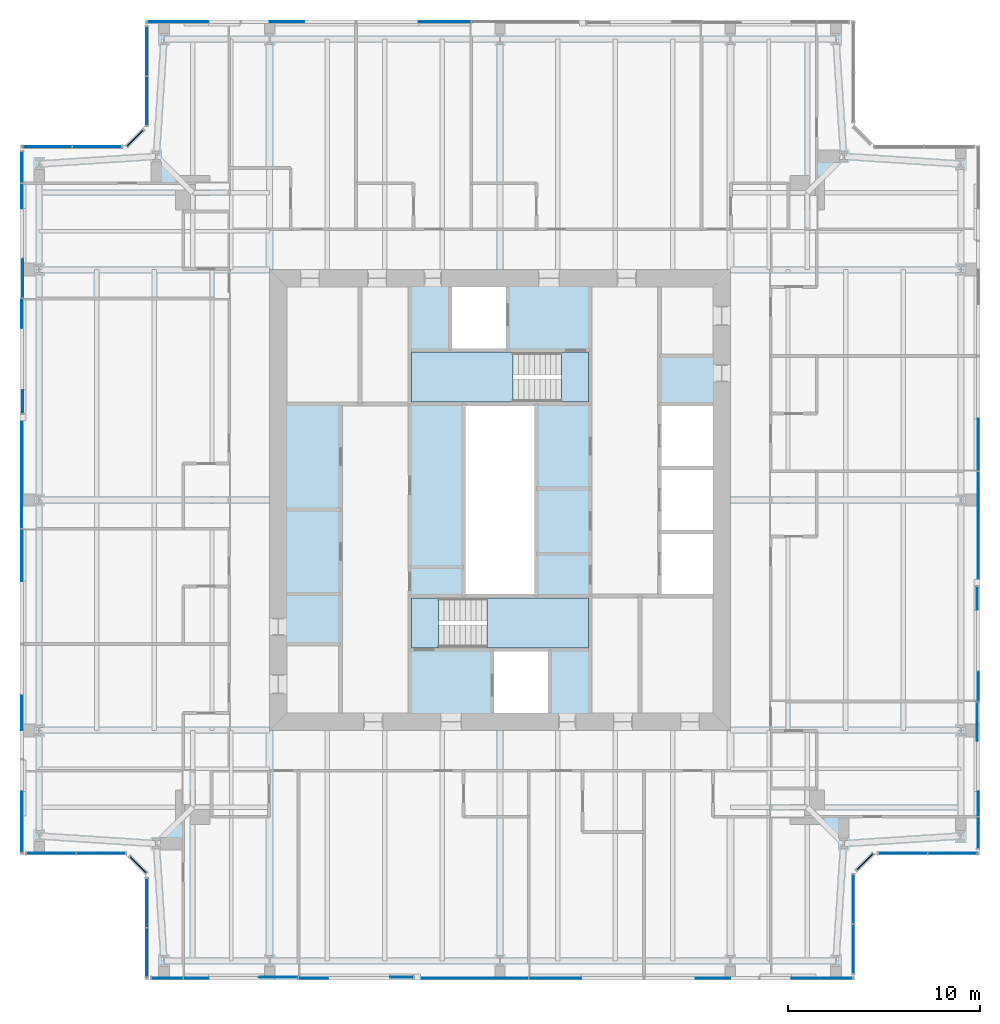
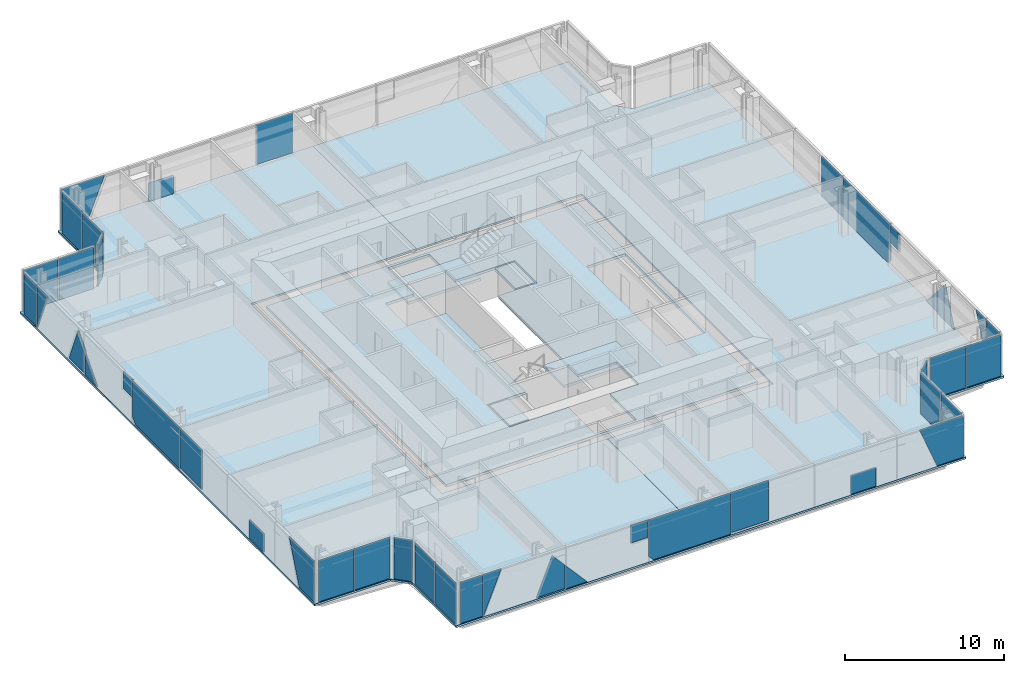
# One storey, part 10 of 18: 43 plates, 7 slabs, 15 elements without a shape of their own.
"""IFC4 building model written with IfcOpenShell, lengths in metres."""

from ifc_helpers import new_model, si_unit, direction, frame, origin, origin_2d, place, context, subcontext, project, spatial, polyline, rectangle, outline, extrude, material, layer, layer_set, type_object, element, aggregate, save


model = new_model("IFC4")

# Units and contexts
model_context = context("Model", 3, precision=1e-05, world=origin(), true_north=direction((0.0, 1.0)))
body_context = subcontext(model_context, "Body", "Model", "MODEL_VIEW")
ifc_project = project(units=[si_unit("LENGTHUNIT", "METRE"), si_unit("AREAUNIT", "SQUARE_METRE"), si_unit("VOLUMEUNIT", "CUBIC_METRE"), si_unit("PLANEANGLEUNIT", "RADIAN"), si_unit("MASSUNIT", "GRAM", prefix="KILO")], contexts=[model_context])

# Site, building, storey
site_placement = place(None, origin())
site = spatial("IfcSite", under=ifc_project, at=site_placement, CompositionType="ELEMENT")
building_placement = place(site_placement, origin())
building = spatial("IfcBuilding", under=site, at=building_placement, Name="Fenwick Lantern Interchange", CompositionType="ELEMENT")
storey_placement = place(building_placement, frame((0.0, 0.0, 262.800048828125)))
storey = spatial("IfcBuildingStorey", under=building, at=storey_placement, Name="L62", CompositionType="ELEMENT", Elevation=262.800048828125)

# Slabs
ifc_material_1 = material(Name="Concrete f'c 35 MPa", Category="concrete")
ifc_layer_1 = layer(ifc_material_1, 0.199951171875)
ifc_layer_set_1 = layer_set([ifc_layer_1], Name="CORE FLOOR SLAB 200")
slab_type_1 = type_object("IfcSlabType", Name="CORE FLOOR SLAB 200", PredefinedType="FLOOR", material=ifc_layer_set_1)
slab_1_placement = place(storey_placement, frame((0.0, 0.0, -0.199951171875)))
element("IfcSlab", 1, at=slab_1_placement, inside=storey, type_object=slab_type_1, Name="L62/SLAB/CORE", PredefinedType="FLOOR", context=body_context, shape_type="SweptSolid", body=[
    extrude(outline(polyline([(13.699951171875, 36.300048828125), (36.300048828125, 36.300048828125), (36.300048828125, 13.699951171875), (13.699951171875, 13.699951171875), (13.699951171875, 36.300048828125)]), holes=[polyline([(24.60009765625, 13.89990234375), (27.60009765625, 13.89990234375), (27.60009765625, 17.199951171875), (29.699951171875, 17.199951171875), (29.699951171875, 20.0), (26.89990234375, 20.0), (26.89990234375, 30.0), (29.699951171875, 30.0), (29.699951171875, 32.800048828125), (25.39990234375, 32.800048828125), (25.39990234375, 36.10009765625), (22.39990234375, 36.10009765625), (22.39990234375, 32.800048828125), (20.300048828125, 32.800048828125), (20.300048828125, 30.0), (23.10009765625, 30.0), (23.10009765625, 20.0), (20.300048828125, 20.0), (20.300048828125, 17.199951171875), (24.60009765625, 17.199951171875), (24.60009765625, 13.89990234375)]), polyline([(33.300048828125, 20.0), (36.10009765625, 20.0), (36.10009765625, 23.333251953125), (36.10009765625, 26.666748046875), (36.10009765625, 30.0), (33.300048828125, 30.0), (33.300048828125, 26.666748046875), (33.300048828125, 23.333251953125), (33.300048828125, 20.0)])]), origin(), (0.0, 0.0, 1.0), 0.199951171875),
])
ifc_material_2 = material(Name="Concrete f'c 35 MPa", Category="concrete")
ifc_layer_2 = layer(ifc_material_2, 0.14990234375)
ifc_layer_set_2 = layer_set([ifc_layer_2], Name="Concrete f'c 35 MPa")
slab_type_2 = type_object("IfcSlabType", Name="FLOOR SLAB 150", PredefinedType="FLOOR", material=ifc_layer_set_2)
slab_2_placement = place(storey_placement, frame((0.0, 0.0, -0.150146484375)))
element("IfcSlab", 2, at=slab_2_placement, inside=storey, type_object=slab_type_2, Name="L62/SLAB/FW", PredefinedType="FLOOR", context=body_context, shape_type="SweptSolid", body=[
    extrude(outline(polyline([(6.5, 0.0), (6.5, 5.5), (5.5, 6.5), (0.0, 6.5), (0.0, 43.5), (5.5, 43.5), (6.5, 44.5), (6.5, 50.0), (25.0, 50.0), (25.0, 37.0), (13.0, 37.0), (13.0, 13.0), (25.0, 13.0), (25.0, 0.0), (6.5, 0.0)])), origin(), (0.0, 0.0, 1.0), 0.150146484375),
])
slab_3_placement = place(storey_placement, frame((0.0, 0.0, -0.150146484375)))
element("IfcSlab", 3, at=slab_3_placement, inside=storey, type_object=slab_type_2, Name="L62/SLAB/FE", PredefinedType="FLOOR", context=body_context, shape_type="SweptSolid", body=[
    extrude(outline(polyline([(43.5, 50.0), (43.5, 44.5), (44.5, 43.5), (50.0, 43.5), (50.0, 6.5), (44.5, 6.5), (43.5, 5.5), (43.5, 0.0), (25.0, 0.0), (25.0, 13.0), (37.0, 13.0), (37.0, 37.0), (25.0, 37.0), (25.0, 50.0), (43.5, 50.0)])), origin(), (0.0, 0.0, 1.0), 0.150146484375),
])

# Curtain wall, plates
ifc_material_3 = material(Name="Aluminium curtain wall frame", Category="aluminium")
curtain_wall_type = type_object("IfcCurtainWallType", Name="HOTEL CURTAIN WALL", PredefinedType="USERDEFINED", material=ifc_material_3)
curtain_wall_1_placement = place(storey_placement, origin())
curtain_wall_1 = element("IfcCurtainWall", 4, at=curtain_wall_1_placement, inside=storey, type_object=curtain_wall_type, Name="Hotel curtain wall 01", ObjectType="HOTEL CURTAIN WALL", PredefinedType="USERDEFINED")
ifc_material_4 = material(Name="Vision glass, acoustic laminated double glazed unit", Category="glass")
ifc_layer_3 = layer(ifc_material_4, 0.052001953125)
ifc_layer_set_3 = layer_set([ifc_layer_3], Name="HOTEL CURTAIN WALL PANEL 52")
plate_type = type_object("IfcPlateType", Name="HOTEL CURTAIN WALL PANEL 52", PredefinedType="CURTAIN_PANEL", material=ifc_layer_set_3)
plate_1_placement = place(storey_placement, frame((7.6650390625, 0.10009765625, 0.0), z_axis=(0.0, 0.0, 1.0), x_axis=(1.0, 0.0, 0.0)))
plate_1 = element("IfcPlate", 5, at=plate_1_placement, type_object=plate_type, Name="L62/CW/01/P00", PredefinedType="CURTAIN_PANEL", context=body_context, shape_type="SweptSolid", body=[
    extrude(rectangle(XDim=1.610107421875, YDim=0.052001953125, at=origin_2d()), origin(), (0.0, 0.0, 1.0), 3.14990234375),
])
plate_2_placement = place(storey_placement, frame((6.60009765625, 0.10009765625, 0.0), z_axis=(0.0, 0.0, 1.0), x_axis=(1.0, 0.0, 0.0)))
plate_2 = element("IfcPlate", 6, at=plate_2_placement, type_object=plate_type, Name="L62/CW/01/P01a", PredefinedType="CURTAIN_PANEL", context=body_context, shape_type="SweptSolid", body=[
    extrude(outline(polyline([(1.929931640625, 0.0), (1.953369140625, 0.0), (3.227294921875, 3.14990234375), (1.929931640625, 3.14990234375), (1.929931640625, 0.0)])), frame((0.0, 0.02587890625, 0.0), z_axis=(0.0, -1.0, 0.0), x_axis=(1.0, 0.0, 0.0)), (0.0, 0.0, 1.0), 0.052001953125),
])
plate_3_placement = place(storey_placement, frame((6.60009765625, 0.10009765625, 0.0), z_axis=(0.0, 0.0, 1.0), x_axis=(1.0, 0.0, 0.0)))
plate_3 = element("IfcPlate", 7, at=plate_3_placement, type_object=plate_type, Name="L62/CW/01/P01b", PredefinedType="CURTAIN_PANEL", context=body_context, shape_type="SweptSolid", body=[
    extrude(outline(polyline([(5.836669921875, 0.0), (7.8701171875, 0.0), (7.8701171875, 1.807373046875), (6.97705078125, 2.819580078125), (5.836669921875, 0.0)])), frame((0.0, 0.080078125, 0.0), z_axis=(0.0, -1.0, 0.0), x_axis=(1.0, 0.0, 0.0)), (0.0, 0.0, 1.0), 0.052001953125),
])
plate_4_placement = place(storey_placement, frame((6.60009765625, 0.10009765625, 0.0), z_axis=(0.0, 0.0, 1.0), x_axis=(1.0, 0.0, 0.0)))
plate_4 = element("IfcPlate", 8, at=plate_4_placement, type_object=plate_type, Name="L62/CW/01/P02a", PredefinedType="CURTAIN_PANEL", context=body_context, shape_type="SweptSolid", body=[
    extrude(outline(polyline([(7.929931640625, 0.0), (9.46484375, 0.0), (7.929931640625, 1.7392578125), (7.929931640625, 0.0)])), frame((0.0, 0.02587890625, 0.0), z_axis=(0.0, -1.0, 0.0), x_axis=(1.0, 0.0, 0.0)), (0.0, 0.0, 1.0), 0.052001953125),
])
plate_5_placement = place(storey_placement, frame((6.60009765625, 0.10009765625, 1.80126953125), z_axis=(0.0, 0.0, 1.0), x_axis=(1.0, 0.0, 0.0)))
plate_5 = element("IfcPlate", 9, at=plate_5_placement, type_object=plate_type, Name="L62/CW/01/P02b", PredefinedType="CURTAIN_PANEL", context=body_context, shape_type="SweptSolid", body=[
    extrude(outline(polyline([(12.676513671875, 0.0), (13.8701171875, 0.0), (13.8701171875, 1.3486328125), (12.676513671875, 1.3486328125), (12.676513671875, 0.0)])), frame((0.0, 0.080078125, 0.0), z_axis=(0.0, -1.0, 0.0), x_axis=(1.0, 0.0, 0.0)), (0.0, 0.0, 1.0), 0.052001953125),
])
plate_6_placement = place(storey_placement, frame((6.60009765625, 0.10009765625, 0.0), z_axis=(0.0, 0.0, 1.0), x_axis=(1.0, 0.0, 0.0)))
plate_6 = element("IfcPlate", 10, at=plate_6_placement, type_object=plate_type, Name="L62/CW/01/P03a", PredefinedType="CURTAIN_PANEL", context=body_context, shape_type="SweptSolid", body=[
    extrude(outline(polyline([(14.265869140625, 0.0), (19.8701171875, 0.0), (19.8701171875, 3.14990234375), (13.929931640625, 3.14990234375), (13.929931640625, 0.380615234375), (14.265869140625, 0.0)])), frame((0.0, 0.02587890625, 0.0), z_axis=(0.0, -1.0, 0.0), x_axis=(1.0, 0.0, 0.0)), (0.0, 0.0, 1.0), 0.052001953125),
])
plate_7_placement = place(storey_placement, frame((6.60009765625, 0.10009765625, 0.09716796875), z_axis=(0.0, 0.0, 1.0), x_axis=(1.0, 0.0, 0.0)))
plate_7 = element("IfcPlate", 11, at=plate_7_placement, type_object=plate_type, Name="L62/CW/01/P04a", PredefinedType="CURTAIN_PANEL", context=body_context, shape_type="SweptSolid", body=[
    extrude(outline(polyline([(19.929931640625, 0.0), (22.6201171875, 0.0), (22.6201171875, 3.052734375), (19.929931640625, 3.052734375), (19.929931640625, 0.0)])), frame((0.0, 0.02587890625, 0.0), z_axis=(0.0, -1.0, 0.0), x_axis=(1.0, 0.0, 0.0)), (0.0, 0.0, 1.0), 0.052001953125),
])
plate_8_placement = place(storey_placement, frame((6.60009765625, 0.10009765625, 0.0), z_axis=(0.0, 0.0, 1.0), x_axis=(1.0, 0.0, 0.0)))
plate_8 = element("IfcPlate", 12, at=plate_8_placement, type_object=plate_type, Name="L62/CW/01/P05a", PredefinedType="CURTAIN_PANEL", context=body_context, shape_type="SweptSolid", body=[
    extrude(outline(polyline([(28.585205078125, 0.0), (30.39013671875, 0.0), (30.39013671875, 1.41650390625), (28.585205078125, 1.41650390625), (28.585205078125, 0.0)])), frame((0.0, 0.02587890625, 0.0), z_axis=(0.0, -1.0, 0.0), x_axis=(1.0, 0.0, 0.0)), (0.0, 0.0, 1.0), 0.052001953125),
])
plate_9_placement = place(storey_placement, frame((6.60009765625, 0.10009765625, 0.0), z_axis=(0.0, 0.0, 1.0), x_axis=(1.0, 0.0, 0.0)))
plate_9 = element("IfcPlate", 13, at=plate_9_placement, type_object=plate_type, Name="L62/CW/01/P06a", PredefinedType="CURTAIN_PANEL", context=body_context, shape_type="SweptSolid", body=[
    extrude(outline(polyline([(34.846435546875, 0.0), (36.739990234375, 0.0), (36.739990234375, 3.14990234375), (33.57275390625, 3.14990234375), (34.846435546875, 0.0)])), frame((0.0, 0.02587890625, 0.0), z_axis=(0.0, -1.0, 0.0), x_axis=(1.0, 0.0, 0.0)), (0.0, 0.0, 1.0), 0.052001953125),
])
aggregate(curtain_wall_1, [plate_1, plate_2, plate_3, plate_4, plate_5, plate_6, plate_7, plate_8, plate_9])

curtain_wall_2_placement = place(storey_placement, origin())
curtain_wall_2 = element("IfcCurtainWall", 14, at=curtain_wall_2_placement, inside=storey, type_object=curtain_wall_type, Name="Hotel curtain wall 02", ObjectType="HOTEL CURTAIN WALL", PredefinedType="USERDEFINED")
plate_10_placement = place(storey_placement, frame((43.39990234375, 1.625244140625, 0.0), z_axis=(0.0, 0.0, 1.0), x_axis=(0.0, 1.0, 0.0)))
plate_10 = element("IfcPlate", 15, at=plate_10_placement, type_object=plate_type, Name="L62/CW/02/P00", PredefinedType="CURTAIN_PANEL", context=body_context, shape_type="SweptSolid", body=[
    extrude(rectangle(XDim=2.53076171875, YDim=0.052001953125, at=origin_2d()), origin(), (0.0, 0.0, 1.0), 3.14990234375),
])
plate_11_placement = place(storey_placement, frame((43.39990234375, 4.216064453125, 0.0), z_axis=(0.0, 0.0, 1.0), x_axis=(0.0, 1.0, 0.0)))
plate_11 = element("IfcPlate", 16, at=plate_11_placement, type_object=plate_type, Name="L62/CW/02/P01", PredefinedType="CURTAIN_PANEL", context=body_context, shape_type="SweptSolid", body=[
    extrude(rectangle(XDim=2.53076171875, YDim=0.052001953125, at=origin_2d()), origin(), (0.0, 0.0, 1.0), 3.14990234375),
])
aggregate(curtain_wall_2, [plate_10, plate_11])

# Curtain wall, plate
curtain_wall_3_placement = place(storey_placement, origin())
curtain_wall_3 = element("IfcCurtainWall", 17, at=curtain_wall_3_placement, inside=storey, type_object=curtain_wall_type, Name="Hotel curtain wall 03", ObjectType="HOTEL CURTAIN WALL", PredefinedType="USERDEFINED")
plate_12_placement = place(storey_placement, frame((44.0, 6.141357421875, 0.0), z_axis=(0.0, 0.0, 1.0), x_axis=(0.707106781187, 0.707106781187, 0.0)))
plate_12 = element("IfcPlate", 18, at=plate_12_placement, type_object=plate_type, Name="L62/CW/03/P00", PredefinedType="CURTAIN_PANEL", context=body_context, shape_type="SweptSolid", body=[
    extrude(rectangle(XDim=1.177001953125, YDim=0.052001953125, at=origin_2d()), origin(), (0.0, 0.0, 1.0), 3.14990234375),
])
aggregate(curtain_wall_3, [plate_12])

# Curtain wall, plates
curtain_wall_4_placement = place(storey_placement, origin())
curtain_wall_4 = element("IfcCurtainWall", 19, at=curtain_wall_4_placement, inside=storey, type_object=curtain_wall_type, Name="Hotel curtain wall 04", ObjectType="HOTEL CURTAIN WALL", PredefinedType="USERDEFINED")
plate_13_placement = place(storey_placement, frame((45.98388671875, 6.60009765625, 0.0), z_axis=(0.0, 0.0, 1.0), x_axis=(1.0, 0.0, 0.0)))
plate_13 = element("IfcPlate", 20, at=plate_13_placement, type_object=plate_type, Name="L62/CW/04/P00", PredefinedType="CURTAIN_PANEL", context=body_context, shape_type="SweptSolid", body=[
    extrude(rectangle(XDim=2.53076171875, YDim=0.052001953125, at=origin_2d()), origin(), (0.0, 0.0, 1.0), 3.14990234375),
])
plate_14_placement = place(storey_placement, frame((48.57470703125, 6.60009765625, 0.0), z_axis=(0.0, 0.0, 1.0), x_axis=(1.0, 0.0, 0.0)))
plate_14 = element("IfcPlate", 21, at=plate_14_placement, type_object=plate_type, Name="L62/CW/04/P01", PredefinedType="CURTAIN_PANEL", context=body_context, shape_type="SweptSolid", body=[
    extrude(rectangle(XDim=2.53076171875, YDim=0.052001953125, at=origin_2d()), origin(), (0.0, 0.0, 1.0), 3.14990234375),
])
aggregate(curtain_wall_4, [plate_13, plate_14])

curtain_wall_5_placement = place(storey_placement, origin())
curtain_wall_5 = element("IfcCurtainWall", 22, at=curtain_wall_5_placement, inside=storey, type_object=curtain_wall_type, Name="Hotel curtain wall 05", ObjectType="HOTEL CURTAIN WALL", PredefinedType="USERDEFINED")
plate_15_placement = place(storey_placement, frame((49.89990234375, 7.6650390625, 0.0), z_axis=(0.0, 0.0, 1.0), x_axis=(0.0, 1.0, 0.0)))
plate_15 = element("IfcPlate", 23, at=plate_15_placement, type_object=plate_type, Name="L62/CW/05/P00", PredefinedType="CURTAIN_PANEL", context=body_context, shape_type="SweptSolid", body=[
    extrude(rectangle(XDim=1.610107421875, YDim=0.052001953125, at=origin_2d()), origin(), (0.0, 0.0, 1.0), 3.14990234375),
])
plate_16_placement = place(storey_placement, frame((49.89990234375, 6.60009765625, 0.0), z_axis=(0.0, 0.0, 1.0), x_axis=(0.0, 1.0, 0.0)))
plate_16 = element("IfcPlate", 24, at=plate_16_placement, type_object=plate_type, Name="L62/CW/05/P01a", PredefinedType="CURTAIN_PANEL", context=body_context, shape_type="SweptSolid", body=[
    extrude(outline(polyline([(1.929931640625, 0.0), (1.953369140625, 0.0), (3.227294921875, 3.14990234375), (1.929931640625, 3.14990234375), (1.929931640625, 0.0)])), frame((0.0, 0.02587890625, 0.0), z_axis=(0.0, -1.0, 0.0), x_axis=(1.0, 0.0, 0.0)), (0.0, 0.0, 1.0), 0.052001953125),
])
plate_17_placement = place(storey_placement, frame((49.89990234375, 6.60009765625, 0.0), z_axis=(0.0, 0.0, 1.0), x_axis=(0.0, 1.0, 0.0)))
plate_17 = element("IfcPlate", 25, at=plate_17_placement, type_object=plate_type, Name="L62/CW/05/P01b", PredefinedType="CURTAIN_PANEL", context=body_context, shape_type="SweptSolid", body=[
    extrude(outline(polyline([(5.836669921875, 0.0), (7.8701171875, 0.0), (7.8701171875, 1.807373046875), (6.97705078125, 2.819580078125), (5.836669921875, 0.0)])), frame((0.0, 0.080078125, 0.0), z_axis=(0.0, -1.0, 0.0), x_axis=(1.0, 0.0, 0.0)), (0.0, 0.0, 1.0), 0.052001953125),
])
plate_18_placement = place(storey_placement, frame((49.89990234375, 6.60009765625, 0.0), z_axis=(0.0, 0.0, 1.0), x_axis=(0.0, 1.0, 0.0)))
plate_18 = element("IfcPlate", 26, at=plate_18_placement, type_object=plate_type, Name="L62/CW/05/P02a", PredefinedType="CURTAIN_PANEL", context=body_context, shape_type="SweptSolid", body=[
    extrude(outline(polyline([(7.929931640625, 0.0), (9.46484375, 0.0), (7.929931640625, 1.7392578125), (7.929931640625, 0.0)])), frame((0.0, 0.02587890625, 0.0), z_axis=(0.0, -1.0, 0.0), x_axis=(1.0, 0.0, 0.0)), (0.0, 0.0, 1.0), 0.052001953125),
])
plate_19_placement = place(storey_placement, frame((49.89990234375, 6.60009765625, 1.80126953125), z_axis=(0.0, 0.0, 1.0), x_axis=(0.0, 1.0, 0.0)))
plate_19 = element("IfcPlate", 27, at=plate_19_placement, type_object=plate_type, Name="L62/CW/05/P02b", PredefinedType="CURTAIN_PANEL", context=body_context, shape_type="SweptSolid", body=[
    extrude(outline(polyline([(12.676513671875, 0.0), (13.8701171875, 0.0), (13.8701171875, 1.3486328125), (12.676513671875, 1.3486328125), (12.676513671875, 0.0)])), frame((0.0, 0.080078125, 0.0), z_axis=(0.0, -1.0, 0.0), x_axis=(1.0, 0.0, 0.0)), (0.0, 0.0, 1.0), 0.052001953125),
])
plate_20_placement = place(storey_placement, frame((49.89990234375, 6.60009765625, 0.0), z_axis=(0.0, 0.0, 1.0), x_axis=(0.0, 1.0, 0.0)))
plate_20 = element("IfcPlate", 28, at=plate_20_placement, type_object=plate_type, Name="L62/CW/05/P03a", PredefinedType="CURTAIN_PANEL", context=body_context, shape_type="SweptSolid", body=[
    extrude(outline(polyline([(14.265869140625, 0.0), (19.8701171875, 0.0), (19.8701171875, 3.14990234375), (13.929931640625, 3.14990234375), (13.929931640625, 0.380615234375), (14.265869140625, 0.0)])), frame((0.0, 0.02587890625, 0.0), z_axis=(0.0, -1.0, 0.0), x_axis=(1.0, 0.0, 0.0)), (0.0, 0.0, 1.0), 0.052001953125),
])
plate_21_placement = place(storey_placement, frame((49.89990234375, 6.60009765625, 0.09716796875), z_axis=(0.0, 0.0, 1.0), x_axis=(0.0, 1.0, 0.0)))
plate_21 = element("IfcPlate", 29, at=plate_21_placement, type_object=plate_type, Name="L62/CW/05/P04a", PredefinedType="CURTAIN_PANEL", context=body_context, shape_type="SweptSolid", body=[
    extrude(outline(polyline([(19.929931640625, 0.0), (22.6201171875, 0.0), (22.6201171875, 3.052734375), (19.929931640625, 3.052734375), (19.929931640625, 0.0)])), frame((0.0, 0.02587890625, 0.0), z_axis=(0.0, -1.0, 0.0), x_axis=(1.0, 0.0, 0.0)), (0.0, 0.0, 1.0), 0.052001953125),
])
aggregate(curtain_wall_5, [plate_15, plate_16, plate_17, plate_18, plate_19, plate_20, plate_21])

curtain_wall_6_placement = place(storey_placement, origin())
curtain_wall_6 = element("IfcCurtainWall", 30, at=curtain_wall_6_placement, inside=storey, type_object=curtain_wall_type, Name="Hotel curtain wall 09", ObjectType="HOTEL CURTAIN WALL", PredefinedType="USERDEFINED")
plate_22_placement = place(storey_placement, frame((43.39990234375, 49.89990234375, 0.09716796875), z_axis=(0.0, 0.0, 1.0), x_axis=(-1.0, 0.0, 0.0)))
plate_22 = element("IfcPlate", 31, at=plate_22_placement, type_object=plate_type, Name="L62/CW/09/P04a", PredefinedType="CURTAIN_PANEL", context=body_context, shape_type="SweptSolid", body=[
    extrude(outline(polyline([(19.929931640625, 0.0), (22.6201171875, 0.0), (22.6201171875, 3.052734375), (19.929931640625, 3.052734375), (19.929931640625, 0.0)])), frame((0.0, 0.02587890625, 0.0), z_axis=(0.0, -1.0, 0.0), x_axis=(1.0, 0.0, 0.0)), (0.0, 0.0, 1.0), 0.052001953125),
])
plate_23_placement = place(storey_placement, frame((43.39990234375, 49.89990234375, 0.0), z_axis=(0.0, 0.0, 1.0), x_axis=(-1.0, 0.0, 0.0)))
plate_23 = element("IfcPlate", 32, at=plate_23_placement, type_object=plate_type, Name="L62/CW/09/P05a", PredefinedType="CURTAIN_PANEL", context=body_context, shape_type="SweptSolid", body=[
    extrude(outline(polyline([(28.585205078125, 0.0), (30.39013671875, 0.0), (30.39013671875, 1.41650390625), (28.585205078125, 1.41650390625), (28.585205078125, 0.0)])), frame((0.0, 0.02587890625, 0.0), z_axis=(0.0, -1.0, 0.0), x_axis=(1.0, 0.0, 0.0)), (0.0, 0.0, 1.0), 0.052001953125),
])
plate_24_placement = place(storey_placement, frame((43.39990234375, 49.89990234375, 0.0), z_axis=(0.0, 0.0, 1.0), x_axis=(-1.0, 0.0, 0.0)))
plate_24 = element("IfcPlate", 33, at=plate_24_placement, type_object=plate_type, Name="L62/CW/09/P06a", PredefinedType="CURTAIN_PANEL", context=body_context, shape_type="SweptSolid", body=[
    extrude(outline(polyline([(34.846435546875, 0.0), (36.739990234375, 0.0), (36.739990234375, 3.14990234375), (33.57275390625, 3.14990234375), (34.846435546875, 0.0)])), frame((0.0, 0.02587890625, 0.0), z_axis=(0.0, -1.0, 0.0), x_axis=(1.0, 0.0, 0.0)), (0.0, 0.0, 1.0), 0.052001953125),
])
aggregate(curtain_wall_6, [plate_22, plate_23, plate_24])

curtain_wall_7_placement = place(storey_placement, origin())
curtain_wall_7 = element("IfcCurtainWall", 34, at=curtain_wall_7_placement, inside=storey, type_object=curtain_wall_type, Name="Hotel curtain wall 10", ObjectType="HOTEL CURTAIN WALL", PredefinedType="USERDEFINED")
plate_25_placement = place(storey_placement, frame((6.60009765625, 48.374755859375, 0.0), z_axis=(0.0, 0.0, 1.0), x_axis=(0.0, -1.0, 0.0)))
plate_25 = element("IfcPlate", 35, at=plate_25_placement, type_object=plate_type, Name="L62/CW/10/P00", PredefinedType="CURTAIN_PANEL", context=body_context, shape_type="SweptSolid", body=[
    extrude(rectangle(XDim=2.53076171875, YDim=0.052001953125, at=origin_2d()), origin(), (0.0, 0.0, 1.0), 3.14990234375),
])
plate_26_placement = place(storey_placement, frame((6.60009765625, 45.783935546875, 0.0), z_axis=(0.0, 0.0, 1.0), x_axis=(0.0, -1.0, 0.0)))
plate_26 = element("IfcPlate", 36, at=plate_26_placement, type_object=plate_type, Name="L62/CW/10/P01", PredefinedType="CURTAIN_PANEL", context=body_context, shape_type="SweptSolid", body=[
    extrude(rectangle(XDim=2.53076171875, YDim=0.052001953125, at=origin_2d()), origin(), (0.0, 0.0, 1.0), 3.14990234375),
])
aggregate(curtain_wall_7, [plate_25, plate_26])

# Curtain wall, plate
curtain_wall_8_placement = place(storey_placement, origin())
curtain_wall_8 = element("IfcCurtainWall", 37, at=curtain_wall_8_placement, inside=storey, type_object=curtain_wall_type, Name="Hotel curtain wall 11", ObjectType="HOTEL CURTAIN WALL", PredefinedType="USERDEFINED")
plate_27_placement = place(storey_placement, frame((6.0, 43.858642578125, 0.0), z_axis=(0.0, 0.0, 1.0), x_axis=(-0.707106781187, -0.707106781187, 0.0)))
plate_27 = element("IfcPlate", 38, at=plate_27_placement, type_object=plate_type, Name="L62/CW/11/P00", PredefinedType="CURTAIN_PANEL", context=body_context, shape_type="SweptSolid", body=[
    extrude(rectangle(XDim=1.177001953125, YDim=0.052001953125, at=origin_2d()), origin(), (0.0, 0.0, 1.0), 3.14990234375),
])
aggregate(curtain_wall_8, [plate_27])

# Curtain wall, plates
curtain_wall_9_placement = place(storey_placement, origin())
curtain_wall_9 = element("IfcCurtainWall", 39, at=curtain_wall_9_placement, inside=storey, type_object=curtain_wall_type, Name="Hotel curtain wall 12", ObjectType="HOTEL CURTAIN WALL", PredefinedType="USERDEFINED")
plate_28_placement = place(storey_placement, frame((4.01611328125, 43.39990234375, 0.0), z_axis=(0.0, 0.0, 1.0), x_axis=(-1.0, 0.0, 0.0)))
plate_28 = element("IfcPlate", 40, at=plate_28_placement, type_object=plate_type, Name="L62/CW/12/P00", PredefinedType="CURTAIN_PANEL", context=body_context, shape_type="SweptSolid", body=[
    extrude(rectangle(XDim=2.53076171875, YDim=0.052001953125, at=origin_2d()), origin(), (0.0, 0.0, 1.0), 3.14990234375),
])
plate_29_placement = place(storey_placement, frame((1.42529296875, 43.39990234375, 0.0), z_axis=(0.0, 0.0, 1.0), x_axis=(-1.0, 0.0, 0.0)))
plate_29 = element("IfcPlate", 41, at=plate_29_placement, type_object=plate_type, Name="L62/CW/12/P01", PredefinedType="CURTAIN_PANEL", context=body_context, shape_type="SweptSolid", body=[
    extrude(rectangle(XDim=2.53076171875, YDim=0.052001953125, at=origin_2d()), origin(), (0.0, 0.0, 1.0), 3.14990234375),
])
aggregate(curtain_wall_9, [plate_28, plate_29])

curtain_wall_10_placement = place(storey_placement, origin())
curtain_wall_10 = element("IfcCurtainWall", 42, at=curtain_wall_10_placement, inside=storey, type_object=curtain_wall_type, Name="Hotel curtain wall 13", ObjectType="HOTEL CURTAIN WALL", PredefinedType="USERDEFINED")
plate_30_placement = place(storey_placement, frame((0.10009765625, 42.3349609375, 0.0), z_axis=(0.0, 0.0, 1.0), x_axis=(0.0, -1.0, 0.0)))
plate_30 = element("IfcPlate", 43, at=plate_30_placement, type_object=plate_type, Name="L62/CW/13/P00", PredefinedType="CURTAIN_PANEL", context=body_context, shape_type="SweptSolid", body=[
    extrude(rectangle(XDim=1.610107421875, YDim=0.052001953125, at=origin_2d()), origin(), (0.0, 0.0, 1.0), 3.14990234375),
])
plate_31_placement = place(storey_placement, frame((0.10009765625, 43.39990234375, 0.0), z_axis=(0.0, 0.0, 1.0), x_axis=(0.0, -1.0, 0.0)))
plate_31 = element("IfcPlate", 44, at=plate_31_placement, type_object=plate_type, Name="L62/CW/13/P01a", PredefinedType="CURTAIN_PANEL", context=body_context, shape_type="SweptSolid", body=[
    extrude(outline(polyline([(1.929931640625, 0.0), (1.953369140625, 0.0), (3.227294921875, 3.14990234375), (1.929931640625, 3.14990234375), (1.929931640625, 0.0)])), frame((0.0, 0.02587890625, 0.0), z_axis=(0.0, -1.0, 0.0), x_axis=(1.0, 0.0, 0.0)), (0.0, 0.0, 1.0), 0.052001953125),
])
plate_32_placement = place(storey_placement, frame((0.10009765625, 43.39990234375, 0.0), z_axis=(0.0, 0.0, 1.0), x_axis=(0.0, -1.0, 0.0)))
plate_32 = element("IfcPlate", 45, at=plate_32_placement, type_object=plate_type, Name="L62/CW/13/P01b", PredefinedType="CURTAIN_PANEL", context=body_context, shape_type="SweptSolid", body=[
    extrude(outline(polyline([(5.836669921875, 0.0), (7.8701171875, 0.0), (7.8701171875, 1.807373046875), (6.97705078125, 2.819580078125), (5.836669921875, 0.0)])), frame((0.0, 0.080078125, 0.0), z_axis=(0.0, -1.0, 0.0), x_axis=(1.0, 0.0, 0.0)), (0.0, 0.0, 1.0), 0.052001953125),
])
plate_33_placement = place(storey_placement, frame((0.10009765625, 43.39990234375, 0.0), z_axis=(0.0, 0.0, 1.0), x_axis=(0.0, -1.0, 0.0)))
plate_33 = element("IfcPlate", 46, at=plate_33_placement, type_object=plate_type, Name="L62/CW/13/P02a", PredefinedType="CURTAIN_PANEL", context=body_context, shape_type="SweptSolid", body=[
    extrude(outline(polyline([(7.929931640625, 0.0), (9.46484375, 0.0), (7.929931640625, 1.7392578125), (7.929931640625, 0.0)])), frame((0.0, 0.02587890625, 0.0), z_axis=(0.0, -1.0, 0.0), x_axis=(1.0, 0.0, 0.0)), (0.0, 0.0, 1.0), 0.052001953125),
])
plate_34_placement = place(storey_placement, frame((0.10009765625, 43.39990234375, 1.80126953125), z_axis=(0.0, 0.0, 1.0), x_axis=(0.0, -1.0, 0.0)))
plate_34 = element("IfcPlate", 47, at=plate_34_placement, type_object=plate_type, Name="L62/CW/13/P02b", PredefinedType="CURTAIN_PANEL", context=body_context, shape_type="SweptSolid", body=[
    extrude(outline(polyline([(12.676513671875, 0.0), (13.8701171875, 0.0), (13.8701171875, 1.3486328125), (12.676513671875, 1.3486328125), (12.676513671875, 0.0)])), frame((0.0, 0.080078125, 0.0), z_axis=(0.0, -1.0, 0.0), x_axis=(1.0, 0.0, 0.0)), (0.0, 0.0, 1.0), 0.052001953125),
])
plate_35_placement = place(storey_placement, frame((0.10009765625, 43.39990234375, 0.0), z_axis=(0.0, 0.0, 1.0), x_axis=(0.0, -1.0, 0.0)))
plate_35 = element("IfcPlate", 48, at=plate_35_placement, type_object=plate_type, Name="L62/CW/13/P03a", PredefinedType="CURTAIN_PANEL", context=body_context, shape_type="SweptSolid", body=[
    extrude(outline(polyline([(14.265869140625, 0.0), (19.8701171875, 0.0), (19.8701171875, 3.14990234375), (13.929931640625, 3.14990234375), (13.929931640625, 0.380615234375), (14.265869140625, 0.0)])), frame((0.0, 0.02587890625, 0.0), z_axis=(0.0, -1.0, 0.0), x_axis=(1.0, 0.0, 0.0)), (0.0, 0.0, 1.0), 0.052001953125),
])
plate_36_placement = place(storey_placement, frame((0.10009765625, 43.39990234375, 0.09716796875), z_axis=(0.0, 0.0, 1.0), x_axis=(0.0, -1.0, 0.0)))
plate_36 = element("IfcPlate", 49, at=plate_36_placement, type_object=plate_type, Name="L62/CW/13/P04a", PredefinedType="CURTAIN_PANEL", context=body_context, shape_type="SweptSolid", body=[
    extrude(outline(polyline([(19.929931640625, 0.0), (22.6201171875, 0.0), (22.6201171875, 3.052734375), (19.929931640625, 3.052734375), (19.929931640625, 0.0)])), frame((0.0, 0.02587890625, 0.0), z_axis=(0.0, -1.0, 0.0), x_axis=(1.0, 0.0, 0.0)), (0.0, 0.0, 1.0), 0.052001953125),
])
plate_37_placement = place(storey_placement, frame((0.10009765625, 43.39990234375, 0.0), z_axis=(0.0, 0.0, 1.0), x_axis=(0.0, -1.0, 0.0)))
plate_37 = element("IfcPlate", 50, at=plate_37_placement, type_object=plate_type, Name="L62/CW/13/P05a", PredefinedType="CURTAIN_PANEL", context=body_context, shape_type="SweptSolid", body=[
    extrude(outline(polyline([(28.585205078125, 0.0), (30.39013671875, 0.0), (30.39013671875, 1.41650390625), (28.585205078125, 1.41650390625), (28.585205078125, 0.0)])), frame((0.0, 0.02587890625, 0.0), z_axis=(0.0, -1.0, 0.0), x_axis=(1.0, 0.0, 0.0)), (0.0, 0.0, 1.0), 0.052001953125),
])
plate_38_placement = place(storey_placement, frame((0.10009765625, 43.39990234375, 0.0), z_axis=(0.0, 0.0, 1.0), x_axis=(0.0, -1.0, 0.0)))
plate_38 = element("IfcPlate", 51, at=plate_38_placement, type_object=plate_type, Name="L62/CW/13/P06a", PredefinedType="CURTAIN_PANEL", context=body_context, shape_type="SweptSolid", body=[
    extrude(outline(polyline([(34.846435546875, 0.0), (36.739990234375, 0.0), (36.739990234375, 3.14990234375), (33.57275390625, 3.14990234375), (34.846435546875, 0.0)])), frame((0.0, 0.02587890625, 0.0), z_axis=(0.0, -1.0, 0.0), x_axis=(1.0, 0.0, 0.0)), (0.0, 0.0, 1.0), 0.052001953125),
])
aggregate(curtain_wall_10, [plate_30, plate_31, plate_32, plate_33, plate_34, plate_35, plate_36, plate_37, plate_38])

curtain_wall_11_placement = place(storey_placement, origin())
curtain_wall_11 = element("IfcCurtainWall", 52, at=curtain_wall_11_placement, inside=storey, type_object=curtain_wall_type, Name="Hotel curtain wall 14", ObjectType="HOTEL CURTAIN WALL", PredefinedType="USERDEFINED")
plate_39_placement = place(storey_placement, frame((1.625244140625, 6.60009765625, 0.0), z_axis=(0.0, 0.0, 1.0), x_axis=(1.0, 0.0, 0.0)))
plate_39 = element("IfcPlate", 53, at=plate_39_placement, type_object=plate_type, Name="L62/CW/14/P00", PredefinedType="CURTAIN_PANEL", context=body_context, shape_type="SweptSolid", body=[
    extrude(rectangle(XDim=2.53076171875, YDim=0.052001953125, at=origin_2d()), origin(), (0.0, 0.0, 1.0), 3.14990234375),
])
plate_40_placement = place(storey_placement, frame((4.216064453125, 6.60009765625, 0.0), z_axis=(0.0, 0.0, 1.0), x_axis=(1.0, 0.0, 0.0)))
plate_40 = element("IfcPlate", 54, at=plate_40_placement, type_object=plate_type, Name="L62/CW/14/P01", PredefinedType="CURTAIN_PANEL", context=body_context, shape_type="SweptSolid", body=[
    extrude(rectangle(XDim=2.53076171875, YDim=0.052001953125, at=origin_2d()), origin(), (0.0, 0.0, 1.0), 3.14990234375),
])
aggregate(curtain_wall_11, [plate_39, plate_40])

# Curtain wall, plate
curtain_wall_12_placement = place(storey_placement, origin())
curtain_wall_12 = element("IfcCurtainWall", 55, at=curtain_wall_12_placement, inside=storey, type_object=curtain_wall_type, Name="Hotel curtain wall 15", ObjectType="HOTEL CURTAIN WALL", PredefinedType="USERDEFINED")
plate_41_placement = place(storey_placement, frame((6.141357421875, 6.0, 0.0), z_axis=(0.0, 0.0, 1.0), x_axis=(0.707106781187, -0.707106781187, 0.0)))
plate_41 = element("IfcPlate", 56, at=plate_41_placement, type_object=plate_type, Name="L62/CW/15/P00", PredefinedType="CURTAIN_PANEL", context=body_context, shape_type="SweptSolid", body=[
    extrude(rectangle(XDim=1.177001953125, YDim=0.052001953125, at=origin_2d()), origin(), (0.0, 0.0, 1.0), 3.14990234375),
])
aggregate(curtain_wall_12, [plate_41])

# Curtain wall, plates
curtain_wall_13_placement = place(storey_placement, origin())
curtain_wall_13 = element("IfcCurtainWall", 57, at=curtain_wall_13_placement, inside=storey, type_object=curtain_wall_type, Name="Hotel curtain wall 16", ObjectType="HOTEL CURTAIN WALL", PredefinedType="USERDEFINED")
plate_42_placement = place(storey_placement, frame((6.60009765625, 4.01611328125, 0.0), z_axis=(0.0, 0.0, 1.0), x_axis=(0.0, -1.0, 0.0)))
plate_42 = element("IfcPlate", 58, at=plate_42_placement, type_object=plate_type, Name="L62/CW/16/P00", PredefinedType="CURTAIN_PANEL", context=body_context, shape_type="SweptSolid", body=[
    extrude(rectangle(XDim=2.53076171875, YDim=0.052001953125, at=origin_2d()), origin(), (0.0, 0.0, 1.0), 3.14990234375),
])
plate_43_placement = place(storey_placement, frame((6.60009765625, 1.42529296875, 0.0), z_axis=(0.0, 0.0, 1.0), x_axis=(0.0, -1.0, 0.0)))
plate_43 = element("IfcPlate", 59, at=plate_43_placement, type_object=plate_type, Name="L62/CW/16/P01", PredefinedType="CURTAIN_PANEL", context=body_context, shape_type="SweptSolid", body=[
    extrude(rectangle(XDim=2.53076171875, YDim=0.052001953125, at=origin_2d()), origin(), (0.0, 0.0, 1.0), 3.14990234375),
])
aggregate(curtain_wall_13, [plate_42, plate_43])

# Stair, slabs
ifc_material_5 = material(Name="Precast concrete f'c 35 MPa", Category="concrete")
stair_type = type_object("IfcStairType", Name="EXIT STAIR 1200", PredefinedType="HALF_TURN_STAIR", material=ifc_material_5)
stair_1_placement = place(storey_placement, origin())
stair_1 = element("IfcStair", 60, at=stair_1_placement, inside=storey, type_object=stair_type, Name="Exit stair ST1", PredefinedType="HALF_TURN_STAIR")
ifc_layer_4 = layer(ifc_material_1, 0.199951171875)
ifc_layer_set_4 = layer_set([ifc_layer_4], Name="STAIR LANDING 200")
slab_type_3 = type_object("IfcSlabType", Name="STAIR LANDING 200", PredefinedType="LANDING", material=ifc_layer_set_4)
slab_4_placement = place(storey_placement, frame((0.0, 0.0, 1.5)))
slab_4 = element("IfcSlab", 61, at=slab_4_placement, type_object=slab_type_3, Name="ST1 landing 1", PredefinedType="LANDING", context=body_context, shape_type="SweptSolid", body=[
    extrude(outline(polyline([(24.320068359375, 17.300048828125), (29.60009765625, 17.300048828125), (29.60009765625, 19.89990234375), (24.320068359375, 19.89990234375), (24.320068359375, 17.300048828125)])), origin(), (0.0, 0.0, 1.0), 0.199951171875),
])
slab_5_placement = place(storey_placement, frame((0.0, 0.0, -0.199951171875)))
slab_5 = element("IfcSlab", 62, at=slab_5_placement, type_object=slab_type_3, Name="ST1 landing 2", PredefinedType="LANDING", context=body_context, shape_type="SweptSolid", body=[
    extrude(outline(polyline([(20.39990234375, 17.300048828125), (21.800048828125, 17.300048828125), (21.800048828125, 19.89990234375), (20.39990234375, 19.89990234375), (20.39990234375, 17.300048828125)])), origin(), (0.0, 0.0, 1.0), 0.199951171875),
])
aggregate(stair_1, [slab_4, slab_5])

stair_2_placement = place(storey_placement, origin())
stair_2 = element("IfcStair", 63, at=stair_2_placement, inside=storey, type_object=stair_type, Name="Exit stair ST2", PredefinedType="HALF_TURN_STAIR")
slab_6_placement = place(storey_placement, frame((0.0, 0.0, 1.5)))
slab_6 = element("IfcSlab", 64, at=slab_6_placement, type_object=slab_type_3, Name="ST2 landing 1", PredefinedType="LANDING", context=body_context, shape_type="SweptSolid", body=[
    extrude(outline(polyline([(25.679931640625, 32.699951171875), (20.39990234375, 32.699951171875), (20.39990234375, 30.10009765625), (25.679931640625, 30.10009765625), (25.679931640625, 32.699951171875)])), origin(), (0.0, 0.0, 1.0), 0.199951171875),
])
slab_7_placement = place(storey_placement, frame((0.0, 0.0, -0.199951171875)))
slab_7 = element("IfcSlab", 65, at=slab_7_placement, type_object=slab_type_3, Name="ST2 landing 2", PredefinedType="LANDING", context=body_context, shape_type="SweptSolid", body=[
    extrude(outline(polyline([(29.60009765625, 32.699951171875), (28.199951171875, 32.699951171875), (28.199951171875, 30.10009765625), (29.60009765625, 30.10009765625), (29.60009765625, 32.699951171875)])), origin(), (0.0, 0.0, 1.0), 0.199951171875),
])
aggregate(stair_2, [slab_6, slab_7])

save(model, "model.ifc")
